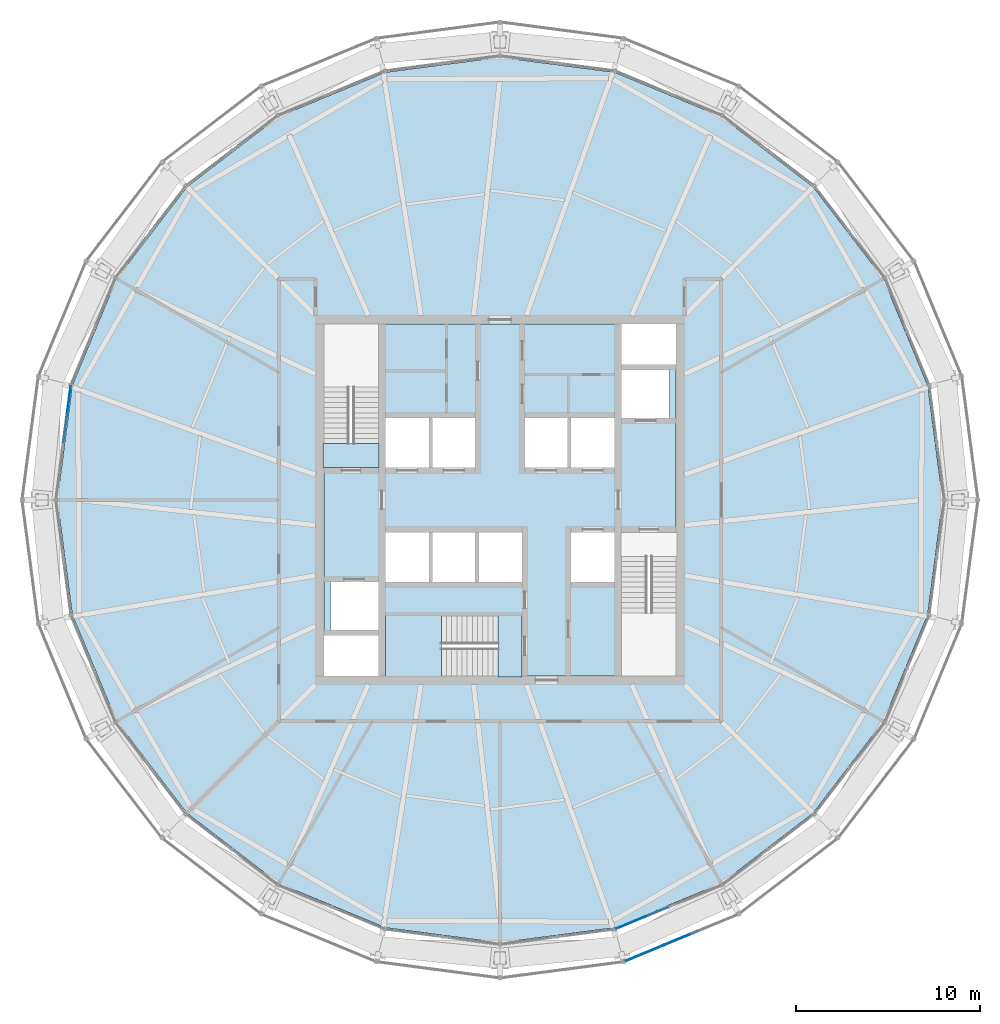
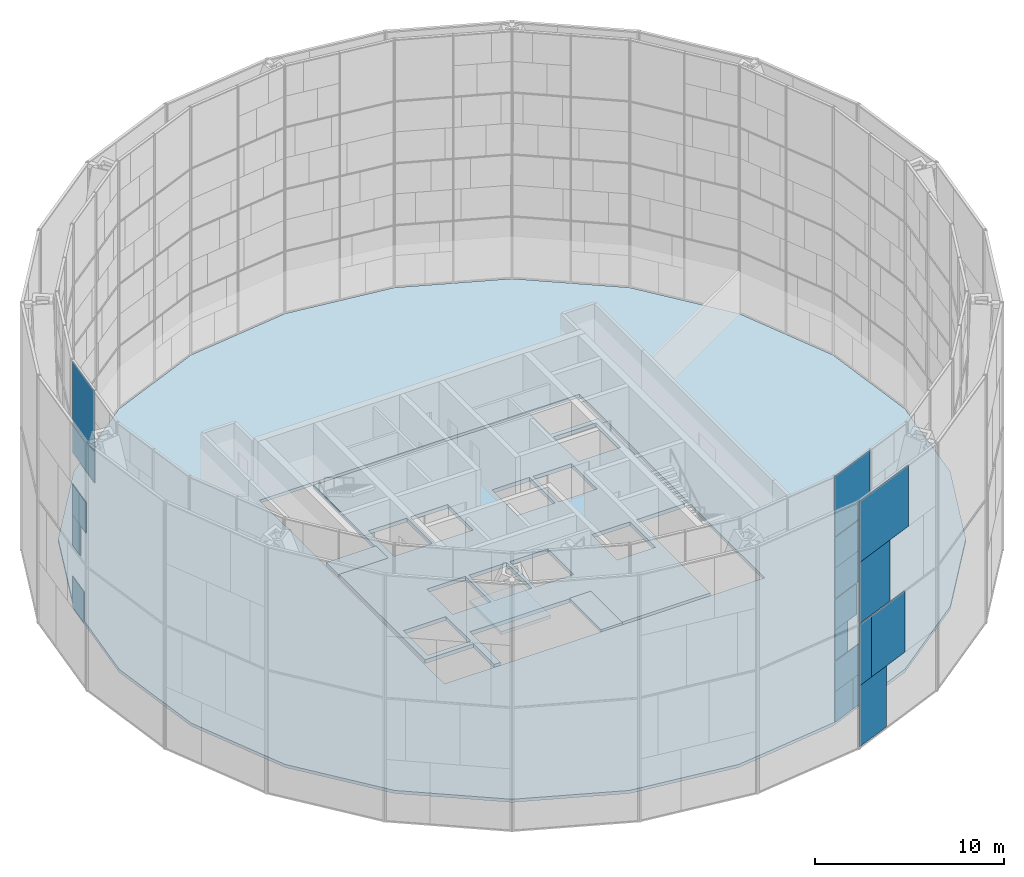
# One storey, part 17 of 30: 18 plates, 5 slabs, 4 elements without a shape of their own.
"""IFC4 building model written with IfcOpenShell, lengths in metres."""

from ifc_helpers import new_model, si_unit, direction, frame, origin, origin_2d, place, context, subcontext, project, spatial, polyline, rectangle, outline, extrude, material, layer, layer_set, type_object, element, aggregate, save


model = new_model("IFC4")

# Units and contexts
model_context = context("Model", 3, precision=1e-05, world=origin(), true_north=direction((0.0, 1.0)))
body_context = subcontext(model_context, "Body", "Model", "MODEL_VIEW")
ifc_project = project(units=[si_unit("LENGTHUNIT", "METRE"), si_unit("AREAUNIT", "SQUARE_METRE"), si_unit("VOLUMEUNIT", "CUBIC_METRE"), si_unit("PLANEANGLEUNIT", "RADIAN"), si_unit("MASSUNIT", "GRAM", prefix="KILO")], contexts=[model_context])

# Site, building, storey
site_placement = place(None, origin())
site = spatial("IfcSite", under=ifc_project, at=site_placement, CompositionType="ELEMENT")
building_placement = place(site_placement, origin())
building = spatial("IfcBuilding", under=site, at=building_placement, Name="Golbaran Civic Tower", CompositionType="ELEMENT")
storey_placement = place(building_placement, frame((0.0, 0.0, 167.0)))
storey = spatial("IfcBuildingStorey", under=building, at=storey_placement, Name="L40", CompositionType="ELEMENT", Elevation=167.0)

# Slabs
ifc_material_1 = material(Name="Concrete LC30/33 lightweight on steel deck", Category="concrete")
ifc_layer_1 = layer(ifc_material_1, 0.199951171875, Name="Concrete LC30/33 lightweight on steel deck")
ifc_layer_set_1 = layer_set([ifc_layer_1], Name="Concrete LC30/33 lightweight on steel deck")
slab_type_1 = type_object("IfcSlabType", Name="COMPOSITE FLOOR SLAB 200", PredefinedType="FLOOR", material=ifc_layer_set_1)
slab_1_placement = place(storey_placement, frame((0.0, 0.0, -0.199951171875)))
element("IfcSlab", 1, at=slab_1_placement, inside=storey, type_object=slab_type_1, Name="Floor slab L40", PredefinedType="FLOOR", context=body_context, shape_type="SweptSolid", body=[
    extrude(outline(polyline([(20.78662109375, -12.001220703125), (16.97216796875, -16.97216796875), (12.001220703125, -20.78662109375), (6.212158203125, -23.1845703125), (0.0, -24.002197265625), (-6.212158203125, -23.1845703125), (-12.001220703125, -20.78662109375), (-16.97216796875, -16.97216796875), (-20.78662109375, -12.001220703125), (-23.1845703125, -6.212158203125), (-24.002197265625, 0.0), (-23.1845703125, 6.212158203125), (-20.78662109375, 12.001220703125), (-16.97216796875, 16.97216796875), (-12.001220703125, 20.78662109375), (-6.212158203125, 23.1845703125), (0.0, 24.002197265625), (6.212158203125, 23.1845703125), (12.001220703125, 20.78662109375), (16.97216796875, 16.97216796875), (20.78662109375, 12.001220703125), (23.1845703125, 6.212158203125), (24.002197265625, 0.0), (23.1845703125, -6.212158203125), (20.78662109375, -12.001220703125)]), holes=[polyline([(-9.77490234375, 9.77490234375), (-9.77490234375, -9.77490234375), (9.77490234375, -9.77490234375), (9.77490234375, 9.77490234375), (-9.77490234375, 9.77490234375)])]), origin(), (0.0, 0.0, 1.0), 0.199951171875),
])
ifc_material_2 = material(Name="Concrete C35/45", Category="concrete")
ifc_layer_2 = layer(ifc_material_2, 0.25, Name="Concrete C35/45")
ifc_layer_set_2 = layer_set([ifc_layer_2], Name="Concrete C35/45")
slab_type_2 = type_object("IfcSlabType", Name="CORE FLOOR SLAB 250", PredefinedType="FLOOR", material=ifc_layer_set_2)
slab_2_placement = place(storey_placement, frame((0.0, 0.0, -0.25)))
element("IfcSlab", 2, at=slab_2_placement, inside=storey, type_object=slab_type_2, Name="Core floor slab L40", PredefinedType="FLOOR", context=body_context, shape_type="SweptSolid", body=[
    extrude(outline(polyline([(6.60009765625, -1.75), (6.60009765625, -9.550048828125), (1.199951171875, -9.550048828125), (1.199951171875, -6.300048828125), (-6.199951171875, -6.300048828125), (-6.199951171875, -9.550048828125), (-6.60009765625, -9.550048828125), (-6.60009765625, -7.35009765625), (-9.550048828125, -7.35009765625), (-9.550048828125, 1.75), (-6.60009765625, 1.75), (-6.60009765625, 9.550048828125), (6.60009765625, 9.550048828125), (6.60009765625, 7.35009765625), (9.550048828125, 7.35009765625), (9.550048828125, -1.75), (6.60009765625, -1.75)]), holes=[polyline([(9.199951171875, 7.050048828125), (6.60009765625, 7.050048828125), (6.60009765625, 4.449951171875), (9.199951171875, 4.449951171875), (9.199951171875, 7.050048828125)]), polyline([(6.199951171875, -1.75), (3.85009765625, -1.75), (3.85009765625, -4.449951171875), (6.199951171875, -4.449951171875), (6.199951171875, -1.75)]), polyline([(6.199951171875, 4.449951171875), (3.85009765625, 4.449951171875), (3.85009765625, 1.75), (6.199951171875, 1.75), (6.199951171875, 4.449951171875)]), polyline([(3.64990234375, 4.449951171875), (1.35009765625, 4.449951171875), (1.35009765625, 1.75), (3.64990234375, 1.75), (3.64990234375, 4.449951171875)]), polyline([(1.199951171875, -1.75), (-1.14990234375, -1.75), (-1.14990234375, -4.449951171875), (1.199951171875, -4.449951171875), (1.199951171875, -1.75)]), polyline([(-1.35009765625, 4.449951171875), (-3.64990234375, 4.449951171875), (-3.64990234375, 1.75), (-1.35009765625, 1.75), (-1.35009765625, 4.449951171875)]), polyline([(-1.35009765625, -1.75), (-3.64990234375, -1.75), (-3.64990234375, -4.449951171875), (-1.35009765625, -4.449951171875), (-1.35009765625, -1.75)]), polyline([(-3.85009765625, -1.75), (-6.199951171875, -1.75), (-6.199951171875, -4.449951171875), (-3.85009765625, -4.449951171875), (-3.85009765625, -1.75)]), polyline([(-3.85009765625, 4.449951171875), (-6.199951171875, 4.449951171875), (-6.199951171875, 1.75), (-3.85009765625, 1.75), (-3.85009765625, 4.449951171875)]), polyline([(-6.60009765625, -4.449951171875), (-9.199951171875, -4.449951171875), (-9.199951171875, -7.050048828125), (-6.60009765625, -7.050048828125), (-6.60009765625, -4.449951171875)])]), origin(), (0.0, 0.0, 1.0), 0.25),
])

# Curtain wall, plates
ifc_material_3 = material(Name="Aluminium and glass", Category="aluminium")
curtain_wall_type_1 = type_object("IfcCurtainWallType", Name="INNER SKIN CURTAIN WALL EXECUTIVE", PredefinedType="NOTDEFINED", material=ifc_material_3)
curtain_wall_1_placement = place(storey_placement, origin())
curtain_wall_1 = element("IfcCurtainWall", 3, at=curtain_wall_1_placement, inside=storey, type_object=curtain_wall_type_1, Name="Inner skin L40 facet 12 CW2", ObjectType="INNER SKIN", PredefinedType="USERDEFINED")
ifc_material_4 = material(Name="Clear insulating glass", Category="glass")
ifc_layer_3 = layer(ifc_material_4, 0.031982421875, Name="Clear insulating glass")
ifc_layer_set_3 = layer_set([ifc_layer_3], Name="Clear insulating glass")
plate_type_1 = type_object("IfcPlateType", Name="INNER SKIN CURTAIN WALL EXECUTIVE GLAZED PANEL", PredefinedType="CURTAIN_PANEL", material=ifc_layer_set_3)
plate_1_placement = place(storey_placement, frame((-23.34130859375, 5.63330078125, 4.02978515625), z_axis=(0.0, 0.0, 1.0), x_axis=(-0.130526192151, -0.991444861383, 0.0)))
plate_1 = element("IfcPlate", 4, at=plate_1_placement, type_object=plate_type_1, Name="CW2 panel 1.2 part 1", PredefinedType="CURTAIN_PANEL", context=body_context, shape_type="SweptSolid", body=[
    extrude(rectangle(XDim=1.090087890625, YDim=0.031982421875, at=origin_2d()), origin(), (0.0, 0.0, 1.0), 1.969970703125),
])
plate_2_placement = place(storey_placement, frame((-23.393798828125, 5.23583984375, 6.0), z_axis=(0.0, 0.0, 1.0), x_axis=(-0.130526192151, -0.991444861383, 0.0)))
plate_2 = element("IfcPlate", 5, at=plate_2_placement, type_object=plate_type_1, Name="CW2 panel 1.2 part 3", PredefinedType="CURTAIN_PANEL", context=body_context, shape_type="SweptSolid", body=[
    extrude(rectangle(XDim=1.89208984375, YDim=0.031982421875, at=origin_2d()), origin(), (0.0, 0.0, 1.0), 1.969970703125),
])
plate_3_placement = place(storey_placement, frame((-23.469482421875, 4.659912109375, 10.0), z_axis=(0.0, 0.0, 1.0), x_axis=(-0.130526192151, -0.991444861383, 0.0)))
plate_3 = element("IfcPlate", 6, at=plate_3_placement, type_object=plate_type_1, Name="CW2 panel 1.3 part 3", PredefinedType="CURTAIN_PANEL", context=body_context, shape_type="SweptSolid", body=[
    extrude(rectangle(XDim=3.053466796875, YDim=0.031982421875, at=origin_2d()), origin(), (0.0, 0.0, 1.0), 1.969970703125),
])
plate_4_placement = place(storey_placement, frame((-23.469482421875, 4.659912109375, 12.0302734375), z_axis=(0.0, 0.0, 1.0), x_axis=(-0.130526192151, -0.991444861383, 0.0)))
plate_4 = element("IfcPlate", 7, at=plate_4_placement, type_object=plate_type_1, Name="CW2 panel 1.4", PredefinedType="CURTAIN_PANEL", context=body_context, shape_type="SweptSolid", body=[
    extrude(rectangle(XDim=3.053466796875, YDim=0.031982421875, at=origin_2d()), origin(), (0.0, 0.0, 1.0), 3.909912109375),
])

curtain_wall_2_placement = place(storey_placement, origin())
curtain_wall_2 = element("IfcCurtainWall", 8, at=curtain_wall_2_placement, inside=storey, type_object=curtain_wall_type_1, Name="Inner skin L40 facet 20 CW2", ObjectType="INNER SKIN", PredefinedType="USERDEFINED")
plate_5_placement = place(storey_placement, frame((8.42626953125, -22.35400390625, 0.06005859375), z_axis=(0.0, 0.0, 1.0), x_axis=(0.923879532471, 0.382683432462, 0.0)))
plate_5 = element("IfcPlate", 9, at=plate_5_placement, type_object=plate_type_1, Name="CW2 panel 1.1 part 2", PredefinedType="CURTAIN_PANEL", context=body_context, shape_type="SweptSolid", body=[
    extrude(rectangle(XDim=1.4794921875, YDim=0.031982421875, at=origin_2d()), origin(), (0.0, 0.0, 1.0), 1.955078125),
])
plate_6_placement = place(storey_placement, frame((6.7919921875, -23.03076171875, 4.02978515625), z_axis=(0.0, 0.0, 1.0), x_axis=(0.923879532471, 0.382683432462, 0.0)))
plate_6 = element("IfcPlate", 10, at=plate_6_placement, type_object=plate_type_1, Name="CW2 panel 1.2 part 1", PredefinedType="CURTAIN_PANEL", context=body_context, shape_type="SweptSolid", body=[
    extrude(rectangle(XDim=1.090087890625, YDim=0.031982421875, at=origin_2d()), origin(), (0.0, 0.0, 1.0), 1.969970703125),
])
plate_7_placement = place(storey_placement, frame((7.16259765625, -22.87744140625, 6.0), z_axis=(0.0, 0.0, 1.0), x_axis=(0.923879532471, 0.382683432462, 0.0)))
plate_7 = element("IfcPlate", 11, at=plate_7_placement, type_object=plate_type_1, Name="CW2 panel 1.2 part 3", PredefinedType="CURTAIN_PANEL", context=body_context, shape_type="SweptSolid", body=[
    extrude(rectangle(XDim=1.89208984375, YDim=0.031982421875, at=origin_2d()), origin(), (0.0, 0.0, 1.0), 1.969970703125),
])
plate_8_placement = place(storey_placement, frame((7.513671875, -22.73193359375, 8.02978515625), z_axis=(0.0, 0.0, 1.0), x_axis=(0.923879532471, 0.382683432462, 0.0)))
plate_8 = element("IfcPlate", 12, at=plate_8_placement, type_object=plate_type_1, Name="CW2 panel 1.3 part 1", PredefinedType="CURTAIN_PANEL", context=body_context, shape_type="SweptSolid", body=[
    extrude(rectangle(XDim=2.652099609375, YDim=0.031982421875, at=origin_2d()), origin(), (0.0, 0.0, 1.0), 1.969970703125),
])
plate_9_placement = place(storey_placement, frame((7.698974609375, -22.6552734375, 10.0), z_axis=(0.0, 0.0, 1.0), x_axis=(0.923879532471, 0.382683432462, 0.0)))
plate_9 = element("IfcPlate", 13, at=plate_9_placement, type_object=plate_type_1, Name="CW2 panel 1.3 part 3", PredefinedType="CURTAIN_PANEL", context=body_context, shape_type="SweptSolid", body=[
    extrude(rectangle(XDim=3.053466796875, YDim=0.031982421875, at=origin_2d()), origin(), (0.0, 0.0, 1.0), 1.969970703125),
])
plate_10_placement = place(storey_placement, frame((7.698974609375, -22.6552734375, 12.0302734375), z_axis=(0.0, 0.0, 1.0), x_axis=(0.923879532471, 0.382683432462, 0.0)))
plate_10 = element("IfcPlate", 14, at=plate_10_placement, type_object=plate_type_1, Name="CW2 panel 1.4", PredefinedType="CURTAIN_PANEL", context=body_context, shape_type="SweptSolid", body=[
    extrude(rectangle(XDim=3.053466796875, YDim=0.031982421875, at=origin_2d()), origin(), (0.0, 0.0, 1.0), 3.909912109375),
])

# Plate
ifc_material_5 = material(Name="Aluminium faced opaque infill panel", Category="aluminium")
ifc_layer_4 = layer(ifc_material_5, 0.031982421875, Name="Aluminium faced opaque infill panel")
ifc_layer_set_4 = layer_set([ifc_layer_4], Name="Aluminium faced opaque infill panel")
plate_type_2 = type_object("IfcPlateType", Name="INNER SKIN CURTAIN WALL EXECUTIVE OPAQUE INFILL PANEL", PredefinedType="CURTAIN_PANEL", material=ifc_layer_set_4)
plate_11_placement = place(storey_placement, frame((-23.373046875, 5.393310546875, 0.06005859375), z_axis=(0.0, 0.0, 1.0), x_axis=(-0.130526192151, -0.991444861383, 0.0)))
plate_11 = element("IfcPlate", 15, at=plate_11_placement, type_object=plate_type_2, Name="CW2 infill panel 1.1 part 1", PredefinedType="CURTAIN_PANEL", context=body_context, shape_type="SweptSolid", body=[
    extrude(rectangle(XDim=1.573974609375, YDim=0.031982421875, at=origin_2d()), origin(), (0.0, 0.0, 1.0), 1.955078125),
])

aggregate(curtain_wall_1, [plate_11, plate_1, plate_2, plate_3, plate_4])

plate_12_placement = place(storey_placement, frame((7.015625, -22.938232421875, 0.06005859375), z_axis=(0.0, 0.0, 1.0), x_axis=(0.923879532471, 0.382683432462, 0.0)))
plate_12 = element("IfcPlate", 16, at=plate_12_placement, type_object=plate_type_2, Name="CW2 infill panel 1.1 part 1", PredefinedType="CURTAIN_PANEL", context=body_context, shape_type="SweptSolid", body=[
    extrude(rectangle(XDim=1.573974609375, YDim=0.031982421875, at=origin_2d()), origin(), (0.0, 0.0, 1.0), 1.955078125),
])

plate_13_placement = place(storey_placement, frame((7.38330078125, -22.785888671875, 2.014892578125), z_axis=(0.0, 0.0, 1.0), x_axis=(0.923879532471, 0.382683432462, 0.0)))
plate_13 = element("IfcPlate", 17, at=plate_13_placement, type_object=plate_type_2, Name="CW2 infill panel 1.1 part 3", PredefinedType="CURTAIN_PANEL", context=body_context, shape_type="SweptSolid", body=[
    extrude(rectangle(XDim=2.3701171875, YDim=0.031982421875, at=origin_2d()), origin(), (0.0, 0.0, 1.0), 1.955078125),
])

aggregate(curtain_wall_2, [plate_12, plate_5, plate_13, plate_6, plate_7, plate_8, plate_9, plate_10])

# Curtain wall, plates
curtain_wall_type_2 = type_object("IfcCurtainWallType", Name="OUTER SKIN TERRACOTTA SCREEN", PredefinedType="NOTDEFINED", material=ifc_material_3)
curtain_wall_3_placement = place(storey_placement, origin())
curtain_wall_3 = element("IfcCurtainWall", 18, at=curtain_wall_3_placement, inside=storey, type_object=curtain_wall_type_2, Name="Outer skin L40 facet 20 CW3", ObjectType="OUTER SKIN", PredefinedType="USERDEFINED")
ifc_material_6 = material(Name="Clear laminated glass", Category="glass")
ifc_layer_5 = layer(ifc_material_6, 0.0400390625, Name="Clear laminated glass")
ifc_layer_set_5 = layer_set([ifc_layer_5], Name="Clear laminated glass")
plate_type_3 = type_object("IfcPlateType", Name="OUTER SKIN CLEAR GLASS PANEL", PredefinedType="CURTAIN_PANEL", material=ifc_layer_set_5)
plate_14_placement = place(storey_placement, frame((7.25, -24.804931640625, 3.31005859375), z_axis=(0.0, 0.0, 1.0), x_axis=(0.923879532471, 0.382683432462, 0.0)))
plate_14 = element("IfcPlate", 19, at=plate_14_placement, type_object=plate_type_3, Name="CW3 panel 1.1 part 3", PredefinedType="CURTAIN_PANEL", context=body_context, shape_type="SweptSolid", body=[
    extrude(rectangle(XDim=1.01611328125, YDim=0.0400390625, at=origin_2d()), origin(), (0.0, 0.0, 1.0), 3.93994140625),
])
plate_15_placement = place(storey_placement, frame((8.005859375, -24.491943359375, 7.330078125), z_axis=(0.0, 0.0, 1.0), x_axis=(0.923879532471, 0.382683432462, 0.0)))
plate_15 = element("IfcPlate", 20, at=plate_15_placement, type_object=plate_type_3, Name="CW3 panel 1.2 part 1", PredefinedType="CURTAIN_PANEL", context=body_context, shape_type="SweptSolid", body=[
    extrude(rectangle(XDim=2.652099609375, YDim=0.0400390625, at=origin_2d()), origin(), (0.0, 0.0, 1.0), 3.93994140625),
])
plate_16_placement = place(storey_placement, frame((8.74755859375, -24.1845703125, 11.27001953125), z_axis=(0.0, 0.0, 1.0), x_axis=(0.923879532471, 0.382683432462, 0.0)))
plate_16 = element("IfcPlate", 21, at=plate_16_placement, type_object=plate_type_3, Name="CW3 panel 1.2 part 4", PredefinedType="CURTAIN_PANEL", context=body_context, shape_type="SweptSolid", body=[
    extrude(rectangle(XDim=4.258056640625, YDim=0.0400390625, at=origin_2d()), origin(), (0.0, 0.0, 1.0), 3.93994140625),
])
ifc_material_7 = material(Name="Terracotta baguette screen", Category="masonry")
ifc_layer_6 = layer(ifc_material_7, 0.0400390625, Name="Terracotta baguette screen")
ifc_layer_set_6 = layer_set([ifc_layer_6], Name="Terracotta baguette screen")
plate_type_4 = type_object("IfcPlateType", Name="OUTER SKIN TERRACOTTA INFILL PANEL", PredefinedType="CURTAIN_PANEL", material=ifc_layer_set_6)
plate_17_placement = place(storey_placement, frame((7.852294921875, -24.555419921875, -0.6298828125), z_axis=(0.0, 0.0, 1.0), x_axis=(0.923879532471, 0.382683432462, 0.0)))
plate_17 = element("IfcPlate", 22, at=plate_17_placement, type_object=plate_type_4, Name="CW3 infill panel 1.1 part 1", PredefinedType="CURTAIN_PANEL", context=body_context, shape_type="SweptSolid", body=[
    extrude(rectangle(XDim=2.320068359375, YDim=0.0400390625, at=origin_2d()), origin(), (0.0, 0.0, 1.0), 3.93994140625),
])
plate_18_placement = place(storey_placement, frame((9.062744140625, -24.05419921875, 3.31005859375), z_axis=(0.0, 0.0, 1.0), x_axis=(0.923879532471, 0.382683432462, 0.0)))
plate_18 = element("IfcPlate", 23, at=plate_18_placement, type_object=plate_type_4, Name="CW3 infill panel 1.1 part 4", PredefinedType="CURTAIN_PANEL", context=body_context, shape_type="SweptSolid", body=[
    extrude(rectangle(XDim=2.907958984375, YDim=0.0400390625, at=origin_2d()), origin(), (0.0, 0.0, 1.0), 3.93994140625),
])
aggregate(curtain_wall_3, [plate_17, plate_14, plate_18, plate_15, plate_16])

# Slab
ifc_layer_7 = layer(ifc_material_2, 0.199951171875, Name="Concrete C35/45")
ifc_layer_set_7 = layer_set([ifc_layer_7], Name="Concrete C35/45")
slab_type_3 = type_object("IfcSlabType", Name="STAIR LANDING 200", PredefinedType="LANDING", material=ifc_layer_set_7)
slab_3_placement = place(storey_placement, frame((0.0, 0.0, -0.199951171875)))
element("IfcSlab", 24, at=slab_3_placement, inside=storey, type_object=slab_type_3, Name="Stair S1 floor landing L40", PredefinedType="LANDING", context=body_context, shape_type="SweptSolid", body=[
    extrude(outline(polyline([(-9.60009765625, 1.75), (-9.60009765625, 3.054931640625), (-6.550048828125, 3.054931640625), (-6.550048828125, 1.75), (-9.60009765625, 1.75)])), origin(), (0.0, 0.0, 1.0), 0.199951171875),
])

# Stair, slab
stair_type = type_object("IfcStairType", Name="EXIT STAIR 3250 x 7400, 4000 RISE", PredefinedType="HALF_TURN_STAIR", material=ifc_material_2)
stair_placement = place(storey_placement, origin())
stair = element("IfcStair", 25, at=stair_placement, inside=storey, type_object=stair_type, Name="Stair S3 L40", PredefinedType="HALF_TURN_STAIR")
slab_4_placement = place(storey_placement, frame((0.0, 0.0, 1.800048828125)))
slab_4 = element("IfcSlab", 26, at=slab_4_placement, type_object=slab_type_3, Name="ST32574-40 landing 1", PredefinedType="LANDING", context=body_context, shape_type="SweptSolid", body=[
    extrude(outline(polyline([(-3.175048828125, -9.60009765625), (-6.199951171875, -9.60009765625), (-6.199951171875, -6.25), (-3.175048828125, -6.25), (-3.175048828125, -9.60009765625)])), origin(), (0.0, 0.0, 1.0), 0.199951171875),
])
aggregate(stair, [slab_4])

# Slab
slab_5_placement = place(storey_placement, frame((0.0, 0.0, -0.199951171875)))
element("IfcSlab", 27, at=slab_5_placement, inside=storey, type_object=slab_type_3, Name="Stair S3 floor landing L40", PredefinedType="LANDING", context=body_context, shape_type="SweptSolid", body=[
    extrude(outline(polyline([(1.199951171875, -9.60009765625), (-0.10498046875, -9.60009765625), (-0.10498046875, -6.25), (1.199951171875, -6.25), (1.199951171875, -9.60009765625)])), origin(), (0.0, 0.0, 1.0), 0.199951171875),
])

save(model, "model.ifc")
